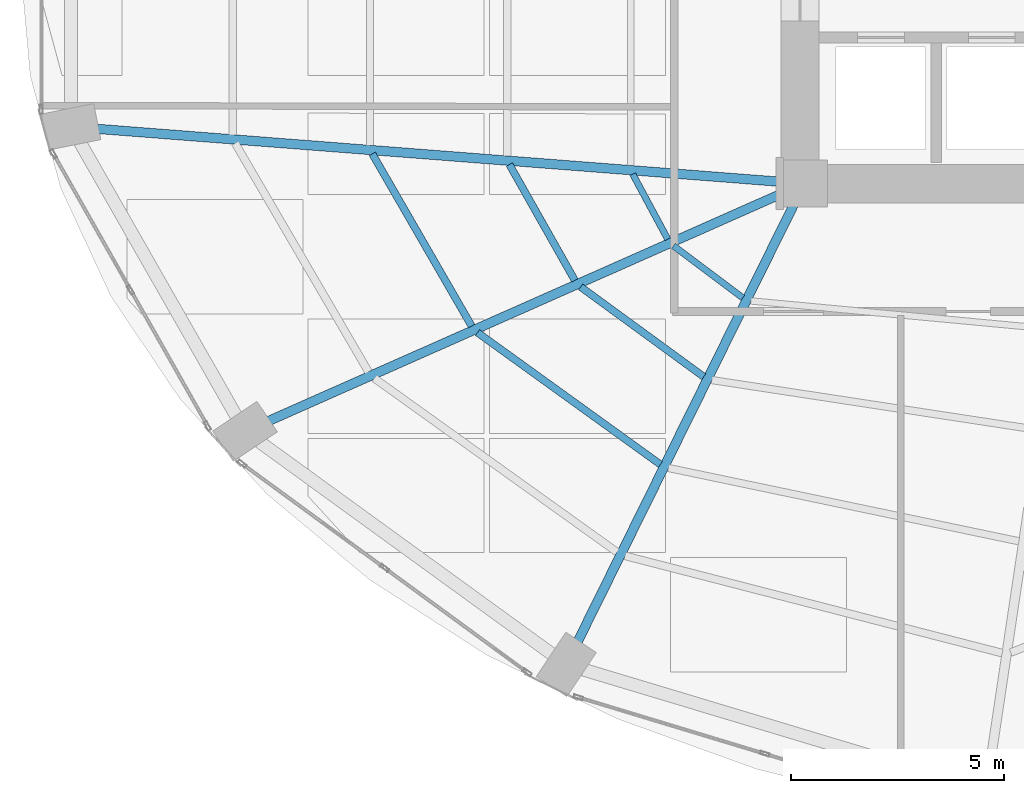
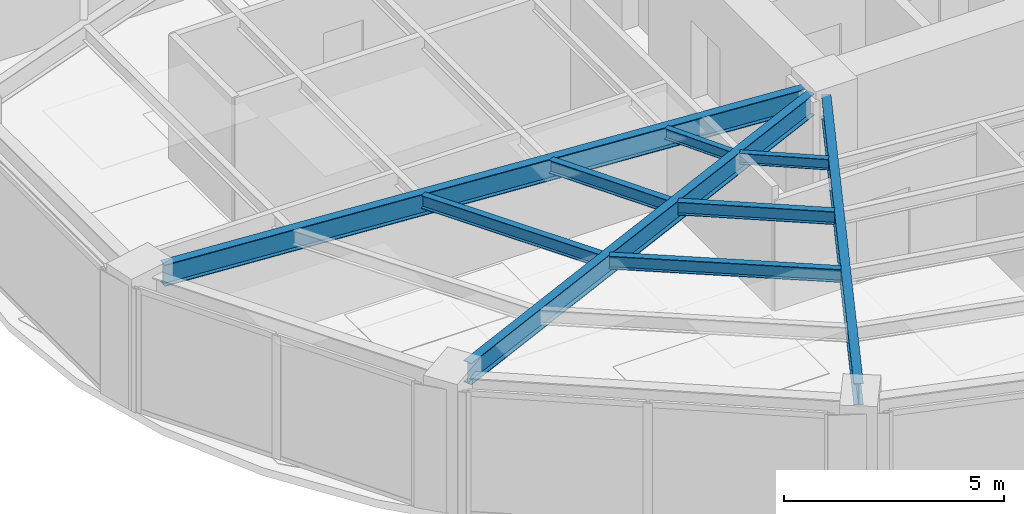
# One storey, part 4 of 24: 9 beams.
"""IFC4 building model written with IfcOpenShell, lengths in metres."""

from ifc_helpers import new_model, si_unit, direction, frame, origin, origin_2d, place, context, subcontext, project, spatial, i_section, extrude, material, material_profile, profile_set, type_object, element, save


model = new_model("IFC4")

# Units and contexts
model_context = context("Model", 3, precision=1e-05, world=origin(), true_north=direction((0.0, 1.0)))
body_context = subcontext(model_context, "Body", "Model", "MODEL_VIEW")
ifc_project = project(units=[si_unit("LENGTHUNIT", "METRE"), si_unit("AREAUNIT", "SQUARE_METRE"), si_unit("VOLUMEUNIT", "CUBIC_METRE"), si_unit("PLANEANGLEUNIT", "RADIAN"), si_unit("MASSUNIT", "GRAM", prefix="KILO")], contexts=[model_context])

# Site, building, storey
site_placement = place(None, origin())
site = spatial("IfcSite", under=ifc_project, at=site_placement, CompositionType="ELEMENT")
building_placement = place(site_placement, origin())
building = spatial("IfcBuilding", under=site, at=building_placement, Name="Lazwardi Medical Tower", CompositionType="ELEMENT")
storey_placement = place(building_placement, frame((0.0, 0.0, 58.031982421875)))
storey = spatial("IfcBuildingStorey", under=building, at=storey_placement, Name="L14", CompositionType="ELEMENT", Elevation=58.031982421875)

# Beams
ifc_material = material(Name="Steel S355", Category="steel")
ifc_material_profile_1 = material_profile(ifc_material, i_section(OverallWidth=0.219970703125, OverallDepth=0.60009765625, WebThickness=0.011962890625, FlangeThickness=0.01904296875, at=origin_2d()), Name="IPE 600")
ifc_profile_set_1 = profile_set([ifc_material_profile_1], Name="Steel S355")
beam_type_1 = type_object("IfcBeamType", Name="BM-RG-W1", PredefinedType="BEAM", material=ifc_profile_set_1)
beam_1_placement = place(storey_placement, frame((9.7783203125, 21.6875, 3.1279296875), z_axis=(0.997013942066, -0.077221754231, 0.0), x_axis=(0.077221754231, 0.997013942066, 0.0)))
element("IfcBeam", 1, at=beam_1_placement, inside=storey, type_object=beam_type_1, Name="Radial girder RG-02 R13 L14", PredefinedType="BEAM", context=body_context, shape_type="SweptSolid", body=[
    extrude(i_section(OverallWidth=0.219970703125, OverallDepth=0.60009765625, WebThickness=0.011962890625, FlangeThickness=0.01904296875, at=origin_2d()), origin(), (0.0, 0.0, 1.0), 16.136474609375),
])
beam_2_placement = place(storey_placement, frame((13.810302734375, 14.82080078125, 3.1279296875), z_axis=(0.914252189566, 0.405145571214, 0.0), x_axis=(-0.405145571214, 0.914252189566, 0.0)))
element("IfcBeam", 2, at=beam_2_placement, inside=storey, type_object=beam_type_1, Name="Radial girder RG-02 R14 L14", PredefinedType="BEAM", context=body_context, shape_type="SweptSolid", body=[
    extrude(i_section(OverallWidth=0.219970703125, OverallDepth=0.60009765625, WebThickness=0.011962890625, FlangeThickness=0.01904296875, at=origin_2d()), origin(), (0.0, 0.0, 1.0), 13.235595703125),
])
beam_3_placement = place(storey_placement, frame((21.076171875, 9.635986328125, 3.1279296875), z_axis=(0.443336723706, 0.896355146922, 0.0), x_axis=(-0.896355146922, 0.443336723706, 0.0)))
element("IfcBeam", 3, at=beam_3_placement, inside=storey, type_object=beam_type_1, Name="Radial girder RG-02 R15 L14", PredefinedType="BEAM", context=body_context, shape_type="SweptSolid", body=[
    extrude(i_section(OverallWidth=0.219970703125, OverallDepth=0.60009765625, WebThickness=0.011962890625, FlangeThickness=0.01904296875, at=origin_2d()), origin(), (0.0, 0.0, 1.0), 11.4736328125),
])
ifc_material_profile_2 = material_profile(ifc_material, i_section(OverallWidth=0.169921875, OverallDepth=0.360107421875, WebThickness=0.008056640625, FlangeThickness=0.0126953125, at=origin_2d()), Name="IPE 360")
ifc_profile_set_2 = profile_set([ifc_material_profile_2], Name="Steel S355")
beam_type_2 = type_object("IfcBeamType", Name="BM-SJ-02", PredefinedType="JOIST", material=ifc_profile_set_2)
beam_4_placement = place(storey_placement, frame((16.26611328125, 21.09814453125, 3.248046875), z_axis=(0.499785866494, -0.866148998529, 0.0), x_axis=(0.866148998529, 0.499785866494, 0.0)))
element("IfcBeam", 4, at=beam_4_placement, inside=storey, type_object=beam_type_2, Name="Secondary joist SJ-02 R2 B13 L14", PredefinedType="JOIST", context=body_context, shape_type="SweptSolid", body=[
    extrude(i_section(OverallWidth=0.169921875, OverallDepth=0.360107421875, WebThickness=0.008056640625, FlangeThickness=0.0126953125, at=origin_2d()), origin(), (0.0, 0.0, 1.0), 4.666015625),
])
beam_5_placement = place(storey_placement, frame((18.73583984375, 16.904296875, 3.248046875), z_axis=(0.811142764961, -0.584848198127, 0.0), x_axis=(0.584848198127, 0.811142764961, 0.0)))
element("IfcBeam", 5, at=beam_5_placement, inside=storey, type_object=beam_type_2, Name="Secondary joist SJ-02 R2 B14 L14", PredefinedType="JOIST", context=body_context, shape_type="SweptSolid", body=[
    extrude(i_section(OverallWidth=0.169921875, OverallDepth=0.360107421875, WebThickness=0.008056640625, FlangeThickness=0.0126953125, at=origin_2d()), origin(), (0.0, 0.0, 1.0), 5.28857421875),
])
beam_6_placement = place(storey_placement, frame((19.48291015625, 20.848388671875, 3.248046875), z_axis=(0.491923287977, -0.870638546554, 0.0), x_axis=(0.870638546554, 0.491923287977, 0.0)))
element("IfcBeam", 6, at=beam_6_placement, inside=storey, type_object=beam_type_2, Name="Secondary joist SJ-02 R3 B13 L14", PredefinedType="JOIST", context=body_context, shape_type="SweptSolid", body=[
    extrude(i_section(OverallWidth=0.169921875, OverallDepth=0.360107421875, WebThickness=0.008056640625, FlangeThickness=0.0126953125, at=origin_2d()), origin(), (0.0, 0.0, 1.0), 3.122802734375),
])
beam_7_placement = place(storey_placement, frame((21.155517578125, 17.976318359375, 3.248046875), z_axis=(0.80770129933, -0.589591902132, 0.0), x_axis=(0.589591902132, 0.80770129933, 0.0)))
element("IfcBeam", 7, at=beam_7_placement, inside=storey, type_object=beam_type_2, Name="Secondary joist SJ-02 R3 B14 L14", PredefinedType="JOIST", context=body_context, shape_type="SweptSolid", body=[
    extrude(i_section(OverallWidth=0.169921875, OverallDepth=0.360107421875, WebThickness=0.008056640625, FlangeThickness=0.0126953125, at=origin_2d()), origin(), (0.0, 0.0, 1.0), 3.5751953125),
])
ifc_material_profile_3 = material_profile(ifc_material, i_section(OverallWidth=0.14990234375, OverallDepth=0.300048828125, WebThickness=0.007080078125, FlangeThickness=0.0107421875, at=origin_2d()), Name="IPE 300")
ifc_profile_set_3 = profile_set([ifc_material_profile_3], Name="Steel S355")
beam_type_3 = type_object("IfcBeamType", Name="BM-SJ-03", PredefinedType="JOIST", material=ifc_profile_set_3)
beam_8_placement = place(storey_placement, frame((22.376953125, 20.623046875, 3.278076171875), z_axis=(0.473982292828, -0.880534375301, 0.0), x_axis=(0.880534375301, 0.473982292828, 0.0)))
element("IfcBeam", 8, at=beam_8_placement, inside=storey, type_object=beam_type_3, Name="Secondary joist SJ-03 R4 B13 L14", PredefinedType="JOIST", context=body_context, shape_type="SweptSolid", body=[
    extrude(i_section(OverallWidth=0.14990234375, OverallDepth=0.300048828125, WebThickness=0.007080078125, FlangeThickness=0.0107421875, at=origin_2d()), origin(), (0.0, 0.0, 1.0), 1.734375),
])
beam_9_placement = place(storey_placement, frame((23.332763671875, 18.9404296875, 3.278076171875), z_axis=(0.800115247939, -0.599846305328, 0.0), x_axis=(0.599846305328, 0.800115247939, 0.0)))
element("IfcBeam", 9, at=beam_9_placement, inside=storey, type_object=beam_type_3, Name="Secondary joist SJ-03 R4 B14 L14", PredefinedType="JOIST", context=body_context, shape_type="SweptSolid", body=[
    extrude(i_section(OverallWidth=0.14990234375, OverallDepth=0.300048828125, WebThickness=0.007080078125, FlangeThickness=0.0107421875, at=origin_2d()), origin(), (0.0, 0.0, 1.0), 2.033447265625),
])

save(model, "model.ifc")
